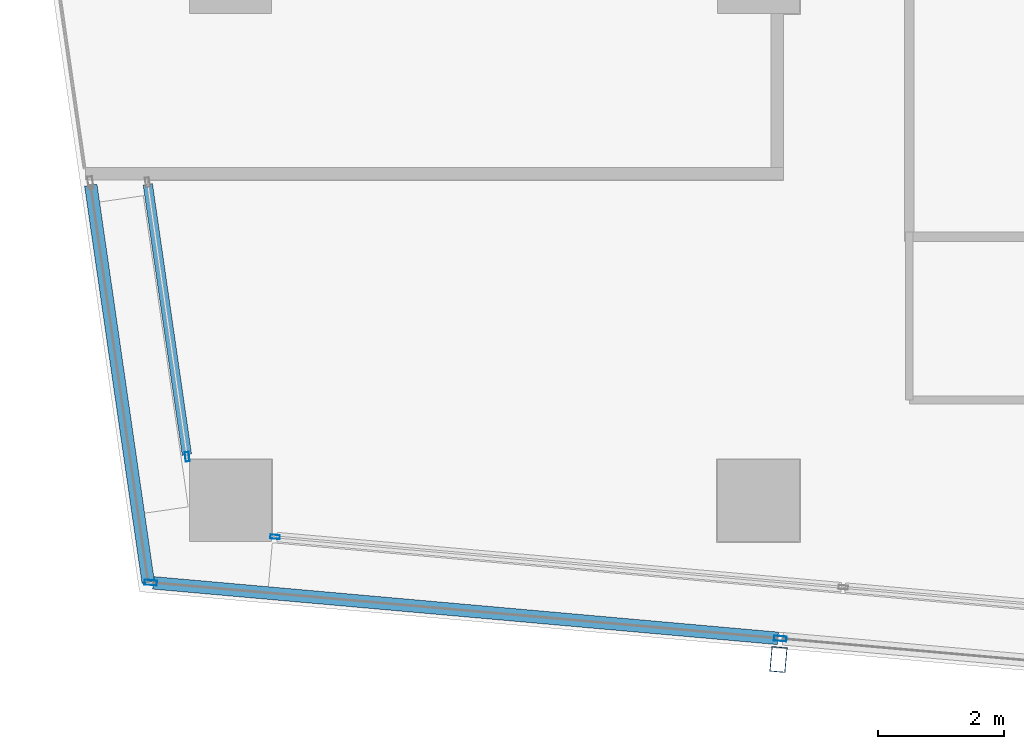
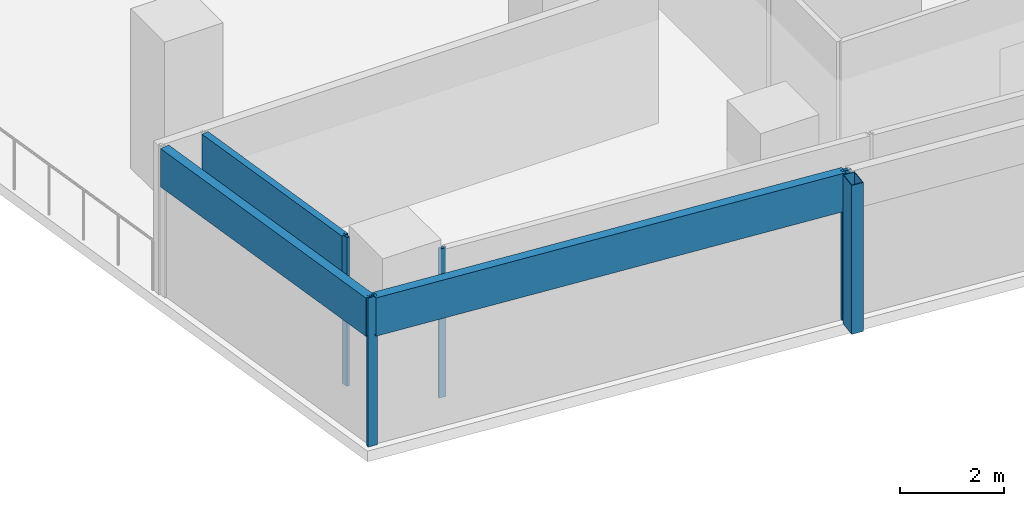
# One storey, part 2 of 28: 8 members, 4 elements without a shape of their own.
"""IFC4 building model written with IfcOpenShell, lengths in metres."""

from ifc_helpers import new_model, si_unit, direction, frame, origin, origin_2d, place, context, subcontext, project, spatial, hollow_rectangle, extrude, material, material_profile, profile_set, type_object, element, aggregate, save


model = new_model("IFC4")

# Units and contexts
model_context = context("Model", 3, precision=1e-05, world=origin(), true_north=direction((0.0, 1.0)))
body_context = subcontext(model_context, "Body", "Model", "MODEL_VIEW")
ifc_project = project(units=[si_unit("LENGTHUNIT", "METRE"), si_unit("AREAUNIT", "SQUARE_METRE"), si_unit("VOLUMEUNIT", "CUBIC_METRE"), si_unit("PLANEANGLEUNIT", "RADIAN"), si_unit("MASSUNIT", "GRAM", prefix="KILO")], contexts=[model_context])

# Site, building, storey
site_placement = place(None, origin())
site = spatial("IfcSite", under=ifc_project, at=site_placement, CompositionType="ELEMENT")
building_placement = place(site_placement, origin())
building = spatial("IfcBuilding", under=site, at=building_placement, Name="Rekha Terrace Tower", CompositionType="ELEMENT")
storey_placement = place(building_placement, frame((0.0, 0.0, 268.85009765625)))
storey = spatial("IfcBuildingStorey", under=building, at=storey_placement, Name="L68", CompositionType="ELEMENT", Elevation=268.85009765625)

# Curtain wall, member
ifc_material_1 = material(Name="Aluminium framing", Category="aluminium")
curtain_wall_type_1 = type_object("IfcCurtainWallType", Name="CW2 double skin outer glazing", PredefinedType="USERDEFINED", material=ifc_material_1)
curtain_wall_1_placement = place(storey_placement, origin())
curtain_wall_1 = element("IfcCurtainWall", 1, at=curtain_wall_1_placement, inside=storey, type_object=curtain_wall_type_1, Name="CW2 double skin outer glazing", ObjectType="DOUBLE SKIN OUTER GLAZING", PredefinedType="USERDEFINED")
ifc_material_2 = material(Name="Steel S355 with fluorocarbon finish", Category="steel")
ifc_material_profile_1 = material_profile(ifc_material_2, hollow_rectangle(XDim=0.25, YDim=0.39990234375, WallThickness=0.012451171875, at=origin_2d()), Name="RHS400x250x12.5")
ifc_profile_set_1 = profile_set([ifc_material_profile_1], Name="Steel S355 with fluorocarbon finish")
member_type_1 = type_object("IfcMemberType", Name="BL1 facade blade RHS 400 x 250", PredefinedType="USERDEFINED", material=ifc_profile_set_1)
member_1_placement = place(storey_placement, frame((17.118896484375, 14.2705078125, 0.0), z_axis=(0.0, 0.0, 1.0), x_axis=(0.996074197996, -0.088522268879, 0.0)))
member_1 = element("IfcMember", 2, at=member_1_placement, type_object=member_type_1, Name="Facade blade", ObjectType="FACADE BLADE", PredefinedType="USERDEFINED", context=body_context, shape_type="SweptSolid", body=[
    extrude(hollow_rectangle(XDim=0.25, YDim=0.39990234375, WallThickness=0.012451171875, at=origin_2d()), origin(), (0.0, 0.0, 1.0), 3.5),
])

curtain_wall_type_2 = type_object("IfcCurtainWallType", Name="CW1 double skin inner glazing", PredefinedType="USERDEFINED", material=ifc_material_1)
curtain_wall_2_placement = place(storey_placement, origin())
curtain_wall_2 = element("IfcCurtainWall", 3, at=curtain_wall_2_placement, inside=storey, type_object=curtain_wall_type_2, Name="CW1 double skin inner glazing", ObjectType="DOUBLE SKIN INNER GLAZING", PredefinedType="USERDEFINED")
ifc_material_3 = material(Name="Aluminium mullion section", Category="aluminium")
ifc_material_profile_2 = material_profile(ifc_material_3, hollow_rectangle(XDim=0.06494140625, YDim=0.14990234375, WallThickness=0.00390625, at=origin_2d()), Name="AL RHS 65x150")
ifc_profile_set_2 = profile_set([ifc_material_profile_2], Name="Aluminium mullion section")
member_type_2 = type_object("IfcMemberType", Name="CW1 mullion RHS 65 x 150", PredefinedType="MULLION", material=ifc_profile_set_2)
member_2_placement = place(storey_placement, frame((9.109130859375, 16.222412109375, 0.0), z_axis=(0.0, 0.0, 1.0), x_axis=(0.088522441405, 0.996074182663, 0.0)))
member_2 = element("IfcMember", 4, at=member_2_placement, type_object=member_type_2, Name="CW1 mullion 1", PredefinedType="MULLION", context=body_context, shape_type="SweptSolid", body=[
    extrude(hollow_rectangle(XDim=0.06494140625, YDim=0.14990234375, WallThickness=0.00390625, at=origin_2d()), origin(), (0.0, 0.0, 1.0), 3.5),
])
aggregate(curtain_wall_2, [member_2])

# Curtain wall, members
curtain_wall_3_placement = place(storey_placement, origin())
curtain_wall_3 = element("IfcCurtainWall", 5, at=curtain_wall_3_placement, inside=storey, type_object=curtain_wall_type_2, Name="CW1 double skin inner glazing", ObjectType="DOUBLE SKIN INNER GLAZING", PredefinedType="USERDEFINED")
member_3_placement = place(storey_placement, frame((7.71044921875, 17.497314453125, 0.0), z_axis=(0.0, 0.0, 1.0), x_axis=(0.989707031399, 0.143108322609, 0.0)))
member_3 = element("IfcMember", 6, at=member_3_placement, type_object=member_type_2, Name="CW1 mullion 2", PredefinedType="MULLION", context=body_context, shape_type="SweptSolid", body=[
    extrude(hollow_rectangle(XDim=0.06494140625, YDim=0.14990234375, WallThickness=0.00390625, at=origin_2d()), origin(), (0.0, 0.0, 1.0), 3.5),
])
ifc_material_4 = material(Name="Insulated aluminium spandrel box", Category="aluminium")
ifc_material_profile_3 = material_profile(ifc_material_4, hollow_rectangle(XDim=0.14990234375, YDim=0.89990234375, WallThickness=0.0029296875, at=origin_2d()), Name="AL SPANDREL BOX 150x900")
ifc_profile_set_3 = profile_set([ifc_material_profile_3], Name="Insulated aluminium spandrel box")
member_type_3 = type_object("IfcMemberType", Name="CW1 spandrel transom 150 x 900", PredefinedType="USERDEFINED", material=ifc_profile_set_3)
member_4_placement = place(storey_placement, frame((7.083740234375, 21.832763671875, 3.0498046875), z_axis=(0.143071990258, -0.989712284254, 0.0), x_axis=(0.989712284254, 0.143071990258, 0.0)))
member_4 = element("IfcMember", 7, at=member_4_placement, type_object=member_type_3, Name="CW1 spandrel transom 1", ObjectType="TRANSOM", PredefinedType="USERDEFINED", context=body_context, shape_type="SweptSolid", body=[
    extrude(hollow_rectangle(XDim=0.14990234375, YDim=0.89990234375, WallThickness=0.0029296875, at=origin_2d()), origin(), (0.0, 0.0, 1.0), 4.347900390625),
])
aggregate(curtain_wall_3, [member_3, member_4])

# Member
ifc_material_profile_4 = material_profile(ifc_material_3, hollow_rectangle(XDim=0.080078125, YDim=0.199951171875, WallThickness=0.00390625, at=origin_2d()), Name="AL RHS 80x200")
ifc_profile_set_4 = profile_set([ifc_material_profile_4], Name="Aluminium mullion section")
member_type_4 = type_object("IfcMemberType", Name="CW2 mullion RHS 80 x 200", PredefinedType="MULLION", material=ifc_profile_set_4)
member_5_placement = place(storey_placement, frame((7.130126953125, 15.49462890625, 0.0), z_axis=(0.0, 0.0, 1.0), x_axis=(0.088522441457, 0.996074182658, 0.0)))
member_5 = element("IfcMember", 8, at=member_5_placement, type_object=member_type_4, Name="CW2 mullion 1", PredefinedType="MULLION", context=body_context, shape_type="SweptSolid", body=[
    extrude(hollow_rectangle(XDim=0.080078125, YDim=0.199951171875, WallThickness=0.00390625, at=origin_2d()), origin(), (0.0, 0.0, 1.0), 3.5),
])

member_6_placement = place(storey_placement, frame((17.1484375, 14.604248046875, 0.0), z_axis=(0.0, 0.0, 1.0), x_axis=(0.088522441457, 0.996074182658, 0.0)))
member_6 = element("IfcMember", 9, at=member_6_placement, type_object=member_type_4, Name="CW2 mullion 2", PredefinedType="MULLION", context=body_context, shape_type="SweptSolid", body=[
    extrude(hollow_rectangle(XDim=0.080078125, YDim=0.199951171875, WallThickness=0.00390625, at=origin_2d()), origin(), (0.0, 0.0, 1.0), 3.5),
])

ifc_material_profile_5 = material_profile(ifc_material_4, hollow_rectangle(XDim=0.199951171875, YDim=0.89990234375, WallThickness=0.0029296875, at=origin_2d()), Name="AL SPANDREL BOX 200x900")
ifc_profile_set_5 = profile_set([ifc_material_profile_5], Name="Insulated aluminium spandrel box")
member_type_5 = type_object("IfcMemberType", Name="CW2 spandrel transom 200 x 900", PredefinedType="USERDEFINED", material=ifc_profile_set_5)
member_7_placement = place(storey_placement, frame((7.169921875, 15.490966796875, 3.0498046875), z_axis=(0.996076044645, -0.088501487472, 0.0), x_axis=(0.088501487472, 0.996076044645, 0.0)))
member_7 = element("IfcMember", 10, at=member_7_placement, type_object=member_type_5, Name="CW2 spandrel transom 1", ObjectType="TRANSOM", PredefinedType="USERDEFINED", context=body_context, shape_type="SweptSolid", body=[
    extrude(hollow_rectangle(XDim=0.199951171875, YDim=0.89990234375, WallThickness=0.0029296875, at=origin_2d()), origin(), (0.0, 0.0, 1.0), 9.977783203125),
])

aggregate(curtain_wall_1, [member_5, member_6, member_7, member_1])

# Curtain wall, member
curtain_wall_4_placement = place(storey_placement, origin())
curtain_wall_4 = element("IfcCurtainWall", 11, at=curtain_wall_4_placement, inside=storey, type_object=curtain_wall_type_1, Name="CW2 double skin outer glazing", ObjectType="DOUBLE SKIN OUTER GLAZING", PredefinedType="USERDEFINED")
member_8_placement = place(storey_placement, frame((6.176513671875, 21.81787109375, 3.0498046875), z_axis=(0.143107239615, -0.989707187995, 0.0), x_axis=(0.989707187995, 0.143107239615, 0.0)))
member_8 = element("IfcMember", 12, at=member_8_placement, type_object=member_type_5, Name="CW2 spandrel transom 1", ObjectType="TRANSOM", PredefinedType="USERDEFINED", context=body_context, shape_type="SweptSolid", body=[
    extrude(hollow_rectangle(XDim=0.199951171875, YDim=0.89990234375, WallThickness=0.0029296875, at=origin_2d()), origin(), (0.0, 0.0, 1.0), 6.385498046875),
])
aggregate(curtain_wall_4, [member_8])

save(model, "model.ifc")
